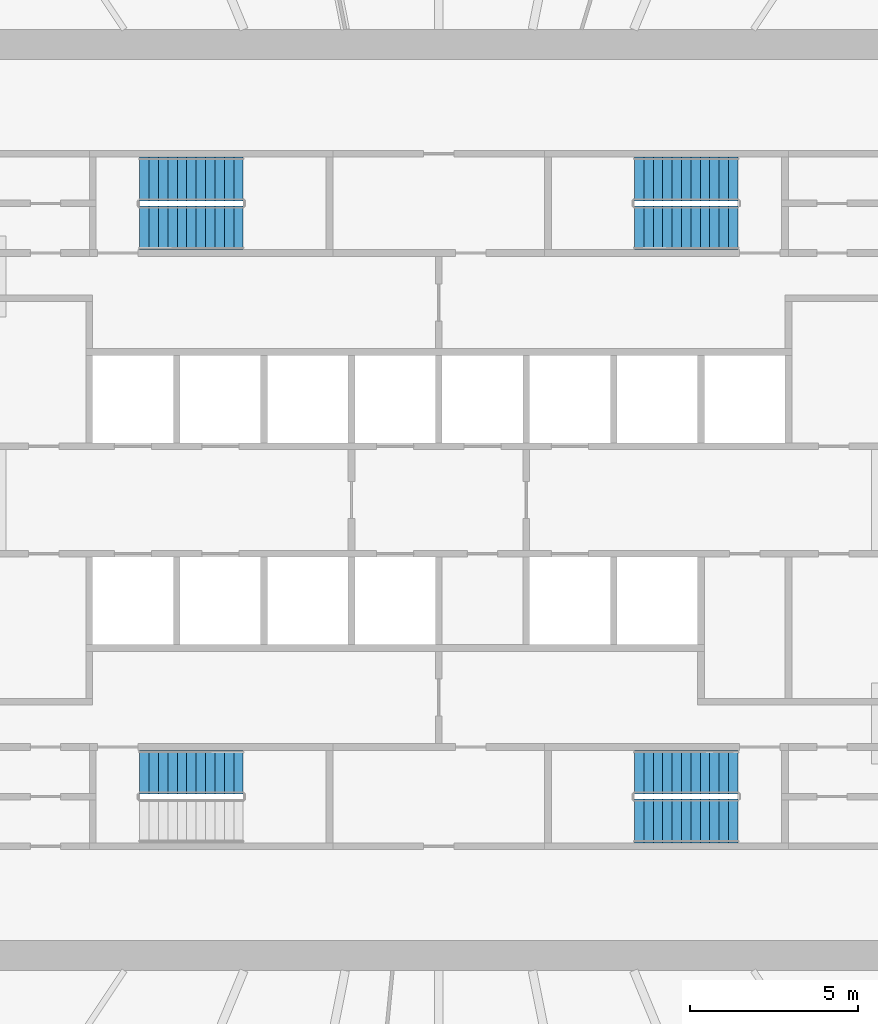
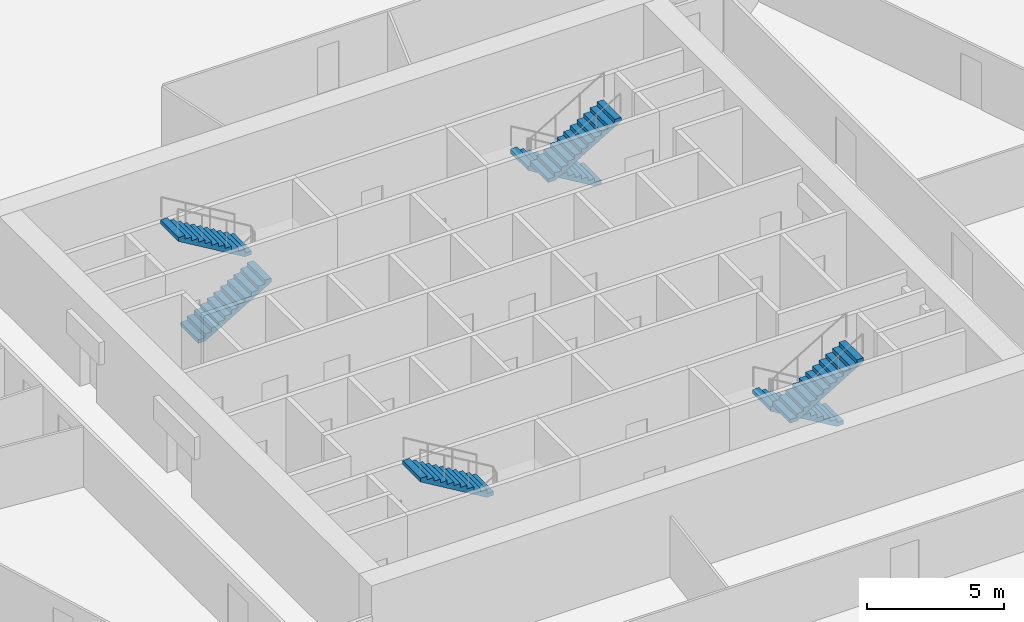
# One storey, part 8 of 9: 7 stair flights, 4 elements without a shape of their own.
"""IFC4 building model written with IfcOpenShell, lengths in metres."""

from ifc_helpers import new_model, si_unit, direction, frame, origin, place, context, subcontext, project, spatial, polyline, outline, extrude, material, type_object, element, aggregate, save


model = new_model("IFC4")

# Units and contexts
model_context = context("Model", 3, precision=1e-05, world=origin(), true_north=direction((0.0, 1.0)))
body_context = subcontext(model_context, "Body", "Model", "MODEL_VIEW")
ifc_project = project(units=[si_unit("LENGTHUNIT", "METRE"), si_unit("AREAUNIT", "SQUARE_METRE"), si_unit("VOLUMEUNIT", "CUBIC_METRE"), si_unit("PLANEANGLEUNIT", "RADIAN"), si_unit("MASSUNIT", "GRAM", prefix="KILO")], contexts=[model_context])

# Site, building, storey
site_placement = place(None, origin())
site = spatial("IfcSite", under=ifc_project, at=site_placement, CompositionType="ELEMENT")
building_placement = place(site_placement, origin())
building = spatial("IfcBuilding", under=site, at=building_placement, Name="Corvane Civic Tower", CompositionType="ELEMENT")
storey_placement = place(building_placement, frame((0.0, 0.0, 168.0)))
storey = spatial("IfcBuildingStorey", under=building, at=storey_placement, Name="L39", CompositionType="ELEMENT", Elevation=168.0)

# Stair, stair flights
ifc_material_1 = material(Name="Concrete C40/50", Category="concrete")
stair_type = type_object("IfcStairType", Name="ST-STAIR-HALFTURN", PredefinedType="HALF_TURN_STAIR", material=ifc_material_1)
stair_1_placement = place(storey_placement, origin())
stair_1 = element("IfcStair", 1, at=stair_1_placement, inside=storey, type_object=stair_type, Name="L39 Exit stair ST1", PredefinedType="HALF_TURN_STAIR")
ifc_material_2 = material(Name="Concrete C40/50", Category="concrete")
stair_flight_type = type_object("IfcStairFlightType", Name="ST-FLIGHT-RC", PredefinedType="STRAIGHT", material=ifc_material_2)
stair_flight_1_placement = place(storey_placement, frame((8.89990234375, 9.550048828125, 0.0), z_axis=(0.0, 0.0, 1.0), x_axis=(-1.0, 0.0, 0.0)))
stair_flight_1 = element("IfcStairFlight", 2, at=stair_flight_1_placement, type_object=stair_flight_type, Name="ST1 flight 1", NumberOfRisers=12, NumberOfTreads=11, PredefinedType="STRAIGHT", RiserHeight=0.166666667, TreadLength=0.28, context=body_context, shape_type="SweptSolid", body=[
    extrude(outline(polyline([(0.0, 0.0), (0.0, 0.166748046875), (0.280029296875, 0.166748046875), (0.280029296875, 0.333251953125), (0.56005859375, 0.333251953125), (0.56005859375, 0.5), (0.840087890625, 0.5), (0.840087890625, 0.666748046875), (1.1201171875, 0.666748046875), (1.1201171875, 0.833251953125), (1.39990234375, 0.833251953125), (1.39990234375, 1.0), (1.679931640625, 1.0), (1.679931640625, 1.166748046875), (1.9599609375, 1.166748046875), (1.9599609375, 1.333251953125), (2.239990234375, 1.333251953125), (2.239990234375, 1.5), (2.52001953125, 1.5), (2.52001953125, 1.666748046875), (2.800048828125, 1.666748046875), (2.800048828125, 1.833251953125), (3.080078125, 1.833251953125), (3.080078125, 2.0), (3.080078125, 1.658935546875), (0.29296875, 0.0), (0.0, 0.0)])), frame((0.0, 0.64990234375, 0.0), z_axis=(0.0, -1.0, 0.0), x_axis=(1.0, 0.0, 0.0)), (0.0, 0.0, 1.0), 1.300048828125),
])
stair_flight_2_placement = place(storey_placement, frame((5.820068359375, 8.10009765625, 2.0), z_axis=(0.0, 0.0, 1.0), x_axis=(1.0, 0.0, 0.0)))
stair_flight_2 = element("IfcStairFlight", 3, at=stair_flight_2_placement, type_object=stair_flight_type, Name="ST1 flight 2", NumberOfRisers=12, NumberOfTreads=11, PredefinedType="STRAIGHT", RiserHeight=0.166666667, TreadLength=0.28, context=body_context, shape_type="SweptSolid", body=[
    extrude(outline(polyline([(0.0, 0.0), (0.0, 0.166748046875), (0.280029296875, 0.166748046875), (0.280029296875, 0.333251953125), (0.56005859375, 0.333251953125), (0.56005859375, 0.5), (0.840087890625, 0.5), (0.840087890625, 0.666748046875), (1.1201171875, 0.666748046875), (1.1201171875, 0.833251953125), (1.39990234375, 0.833251953125), (1.39990234375, 1.0), (1.679931640625, 1.0), (1.679931640625, 1.166748046875), (1.9599609375, 1.166748046875), (1.9599609375, 1.333251953125), (2.239990234375, 1.333251953125), (2.239990234375, 1.5), (2.52001953125, 1.5), (2.52001953125, 1.666748046875), (2.800048828125, 1.666748046875), (2.800048828125, 1.833251953125), (3.080078125, 1.833251953125), (3.080078125, 2.0), (3.080078125, 1.658935546875), (0.29296875, 0.0), (0.0, 0.0)])), frame((0.0, 0.64990234375, 0.0), z_axis=(0.0, -1.0, 0.0), x_axis=(1.0, 0.0, 0.0)), (0.0, 0.0, 1.0), 1.300048828125),
])
aggregate(stair_1, [stair_flight_1, stair_flight_2])

stair_2_placement = place(storey_placement, origin())
stair_2 = element("IfcStair", 4, at=stair_2_placement, inside=storey, type_object=stair_type, Name="L39 Exit stair ST2", PredefinedType="HALF_TURN_STAIR")
stair_flight_3_placement = place(storey_placement, frame((8.89990234375, -8.10009765625, 0.0), z_axis=(0.0, 0.0, 1.0), x_axis=(-1.0, 0.0, 0.0)))
stair_flight_3 = element("IfcStairFlight", 5, at=stair_flight_3_placement, type_object=stair_flight_type, Name="ST2 flight 1", NumberOfRisers=12, NumberOfTreads=11, PredefinedType="STRAIGHT", RiserHeight=0.166666667, TreadLength=0.28, context=body_context, shape_type="SweptSolid", body=[
    extrude(outline(polyline([(0.0, 0.0), (0.0, 0.166748046875), (0.280029296875, 0.166748046875), (0.280029296875, 0.333251953125), (0.56005859375, 0.333251953125), (0.56005859375, 0.5), (0.840087890625, 0.5), (0.840087890625, 0.666748046875), (1.1201171875, 0.666748046875), (1.1201171875, 0.833251953125), (1.39990234375, 0.833251953125), (1.39990234375, 1.0), (1.679931640625, 1.0), (1.679931640625, 1.166748046875), (1.9599609375, 1.166748046875), (1.9599609375, 1.333251953125), (2.239990234375, 1.333251953125), (2.239990234375, 1.5), (2.52001953125, 1.5), (2.52001953125, 1.666748046875), (2.800048828125, 1.666748046875), (2.800048828125, 1.833251953125), (3.080078125, 1.833251953125), (3.080078125, 2.0), (3.080078125, 1.658935546875), (0.29296875, 0.0), (0.0, 0.0)])), frame((0.0, 0.64990234375, 0.0), z_axis=(0.0, -1.0, 0.0), x_axis=(1.0, 0.0, 0.0)), (0.0, 0.0, 1.0), 1.300048828125),
])
stair_flight_4_placement = place(storey_placement, frame((5.820068359375, -9.550048828125, 2.0), z_axis=(0.0, 0.0, 1.0), x_axis=(1.0, 0.0, 0.0)))
stair_flight_4 = element("IfcStairFlight", 6, at=stair_flight_4_placement, type_object=stair_flight_type, Name="ST2 flight 2", NumberOfRisers=12, NumberOfTreads=11, PredefinedType="STRAIGHT", RiserHeight=0.166666667, TreadLength=0.28, context=body_context, shape_type="SweptSolid", body=[
    extrude(outline(polyline([(0.0, 0.0), (0.0, 0.166748046875), (0.280029296875, 0.166748046875), (0.280029296875, 0.333251953125), (0.56005859375, 0.333251953125), (0.56005859375, 0.5), (0.840087890625, 0.5), (0.840087890625, 0.666748046875), (1.1201171875, 0.666748046875), (1.1201171875, 0.833251953125), (1.39990234375, 0.833251953125), (1.39990234375, 1.0), (1.679931640625, 1.0), (1.679931640625, 1.166748046875), (1.9599609375, 1.166748046875), (1.9599609375, 1.333251953125), (2.239990234375, 1.333251953125), (2.239990234375, 1.5), (2.52001953125, 1.5), (2.52001953125, 1.666748046875), (2.800048828125, 1.666748046875), (2.800048828125, 1.833251953125), (3.080078125, 1.833251953125), (3.080078125, 2.0), (3.080078125, 1.658935546875), (0.29296875, 0.0), (0.0, 0.0)])), frame((0.0, 0.64990234375, 0.0), z_axis=(0.0, -1.0, 0.0), x_axis=(1.0, 0.0, 0.0)), (0.0, 0.0, 1.0), 1.300048828125),
])
aggregate(stair_2, [stair_flight_3, stair_flight_4])

# Stair, stair flight
stair_3_placement = place(storey_placement, origin())
stair_3 = element("IfcStair", 7, at=stair_3_placement, inside=storey, type_object=stair_type, Name="L39 Exit stair ST3", PredefinedType="HALF_TURN_STAIR")
stair_flight_5_placement = place(storey_placement, frame((-5.820068359375, -8.10009765625, 2.0), z_axis=(0.0, 0.0, 1.0), x_axis=(-1.0, 0.0, 0.0)))
stair_flight_5 = element("IfcStairFlight", 8, at=stair_flight_5_placement, type_object=stair_flight_type, Name="ST3 flight 2", NumberOfRisers=12, NumberOfTreads=11, PredefinedType="STRAIGHT", RiserHeight=0.166666667, TreadLength=0.28, context=body_context, shape_type="SweptSolid", body=[
    extrude(outline(polyline([(0.0, 0.0), (0.0, 0.166748046875), (0.280029296875, 0.166748046875), (0.280029296875, 0.333251953125), (0.56005859375, 0.333251953125), (0.56005859375, 0.5), (0.840087890625, 0.5), (0.840087890625, 0.666748046875), (1.1201171875, 0.666748046875), (1.1201171875, 0.833251953125), (1.39990234375, 0.833251953125), (1.39990234375, 1.0), (1.679931640625, 1.0), (1.679931640625, 1.166748046875), (1.9599609375, 1.166748046875), (1.9599609375, 1.333251953125), (2.239990234375, 1.333251953125), (2.239990234375, 1.5), (2.52001953125, 1.5), (2.52001953125, 1.666748046875), (2.800048828125, 1.666748046875), (2.800048828125, 1.833251953125), (3.080078125, 1.833251953125), (3.080078125, 2.0), (3.080078125, 1.658935546875), (0.29296875, 0.0), (0.0, 0.0)])), frame((0.0, 0.64990234375, 0.0), z_axis=(0.0, -1.0, 0.0), x_axis=(1.0, 0.0, 0.0)), (0.0, 0.0, 1.0), 1.300048828125),
])
aggregate(stair_3, [stair_flight_5])

# Stair, stair flights
stair_4_placement = place(storey_placement, origin())
stair_4 = element("IfcStair", 9, at=stair_4_placement, inside=storey, type_object=stair_type, Name="L39 Exit stair ST4", PredefinedType="HALF_TURN_STAIR")
stair_flight_6_placement = place(storey_placement, frame((-8.89990234375, 8.10009765625, 0.0), z_axis=(0.0, 0.0, 1.0), x_axis=(1.0, 0.0, 0.0)))
stair_flight_6 = element("IfcStairFlight", 10, at=stair_flight_6_placement, type_object=stair_flight_type, Name="ST4 flight 1", NumberOfRisers=12, NumberOfTreads=11, PredefinedType="STRAIGHT", RiserHeight=0.166666667, TreadLength=0.28, context=body_context, shape_type="SweptSolid", body=[
    extrude(outline(polyline([(0.0, 0.0), (0.0, 0.166748046875), (0.280029296875, 0.166748046875), (0.280029296875, 0.333251953125), (0.56005859375, 0.333251953125), (0.56005859375, 0.5), (0.840087890625, 0.5), (0.840087890625, 0.666748046875), (1.1201171875, 0.666748046875), (1.1201171875, 0.833251953125), (1.39990234375, 0.833251953125), (1.39990234375, 1.0), (1.679931640625, 1.0), (1.679931640625, 1.166748046875), (1.9599609375, 1.166748046875), (1.9599609375, 1.333251953125), (2.239990234375, 1.333251953125), (2.239990234375, 1.5), (2.52001953125, 1.5), (2.52001953125, 1.666748046875), (2.800048828125, 1.666748046875), (2.800048828125, 1.833251953125), (3.080078125, 1.833251953125), (3.080078125, 2.0), (3.080078125, 1.658935546875), (0.29296875, 0.0), (0.0, 0.0)])), frame((0.0, 0.64990234375, 0.0), z_axis=(0.0, -1.0, 0.0), x_axis=(1.0, 0.0, 0.0)), (0.0, 0.0, 1.0), 1.300048828125),
])
stair_flight_7_placement = place(storey_placement, frame((-5.820068359375, 9.550048828125, 2.0), z_axis=(0.0, 0.0, 1.0), x_axis=(-1.0, 0.0, 0.0)))
stair_flight_7 = element("IfcStairFlight", 11, at=stair_flight_7_placement, type_object=stair_flight_type, Name="ST4 flight 2", NumberOfRisers=12, NumberOfTreads=11, PredefinedType="STRAIGHT", RiserHeight=0.166666667, TreadLength=0.28, context=body_context, shape_type="SweptSolid", body=[
    extrude(outline(polyline([(0.0, 0.0), (0.0, 0.166748046875), (0.280029296875, 0.166748046875), (0.280029296875, 0.333251953125), (0.56005859375, 0.333251953125), (0.56005859375, 0.5), (0.840087890625, 0.5), (0.840087890625, 0.666748046875), (1.1201171875, 0.666748046875), (1.1201171875, 0.833251953125), (1.39990234375, 0.833251953125), (1.39990234375, 1.0), (1.679931640625, 1.0), (1.679931640625, 1.166748046875), (1.9599609375, 1.166748046875), (1.9599609375, 1.333251953125), (2.239990234375, 1.333251953125), (2.239990234375, 1.5), (2.52001953125, 1.5), (2.52001953125, 1.666748046875), (2.800048828125, 1.666748046875), (2.800048828125, 1.833251953125), (3.080078125, 1.833251953125), (3.080078125, 2.0), (3.080078125, 1.658935546875), (0.29296875, 0.0), (0.0, 0.0)])), frame((0.0, 0.64990234375, 0.0), z_axis=(0.0, -1.0, 0.0), x_axis=(1.0, 0.0, 0.0)), (0.0, 0.0, 1.0), 1.300048828125),
])
aggregate(stair_4, [stair_flight_6, stair_flight_7])

save(model, "model.ifc")
